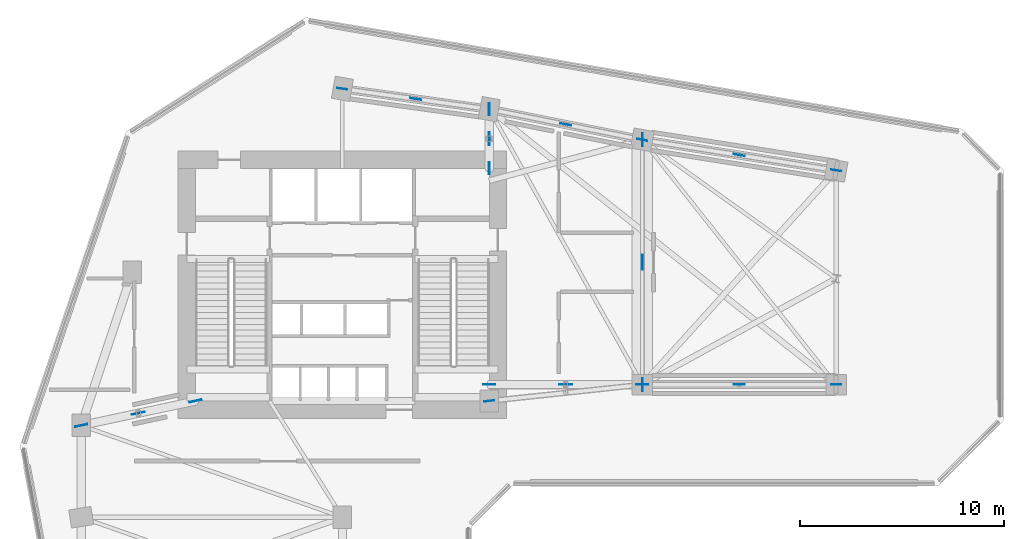
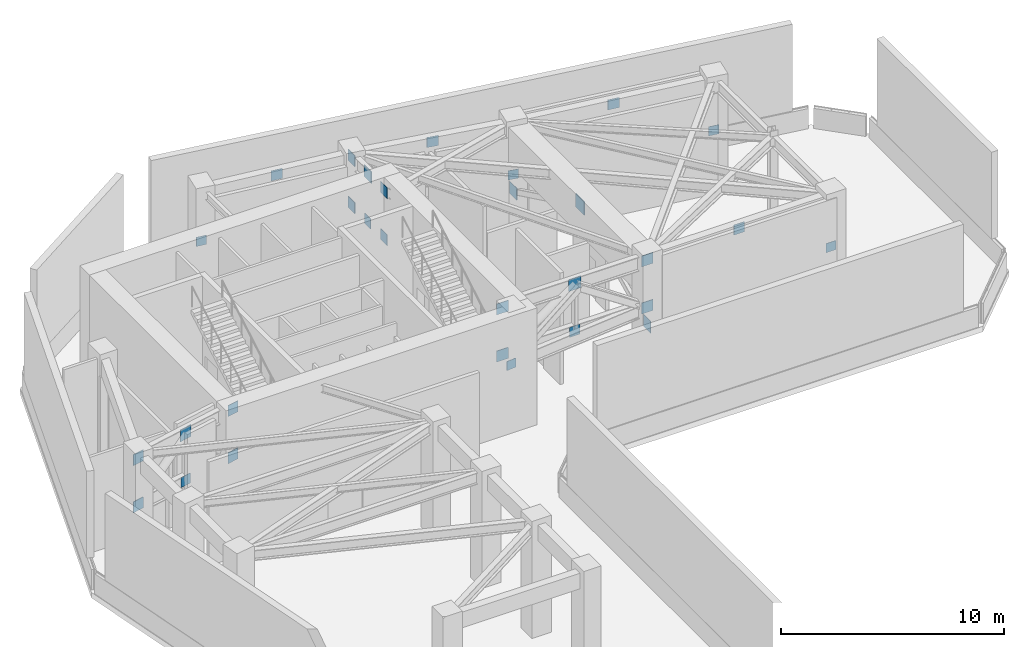
# One storey, part 5 of 10: 30 plates.
"""IFC4 building model written with IfcOpenShell, lengths in metres."""

from ifc_helpers import new_model, si_unit, direction, frame, origin, origin_2d, place, context, subcontext, project, spatial, rectangle, extrude, source, transform, mapped, material, layer, layer_set, type_object, element, save


model = new_model("IFC4")

# Units and contexts
model_context = context("Model", 3, precision=1e-05, world=origin(), true_north=direction((0.0, 1.0)))
body_context = subcontext(model_context, "Body", "Model", "MODEL_VIEW")
ifc_project = project(units=[si_unit("LENGTHUNIT", "METRE"), si_unit("AREAUNIT", "SQUARE_METRE"), si_unit("VOLUMEUNIT", "CUBIC_METRE"), si_unit("PLANEANGLEUNIT", "RADIAN"), si_unit("MASSUNIT", "GRAM", prefix="KILO")], contexts=[model_context])

# Site, building, storey
site_placement = place(None, origin())
site = spatial("IfcSite", under=ifc_project, at=site_placement, CompositionType="ELEMENT")
building_placement = place(site_placement, origin())
building = spatial("IfcBuilding", under=site, at=building_placement, Name="Calvemar Wedge Station Tower", CompositionType="ELEMENT")
storey_placement = place(building_placement, frame((0.0, 0.0, 99.0)))
storey = spatial("IfcBuildingStorey", under=building, at=storey_placement, Name="L24", CompositionType="ELEMENT", Elevation=99.0)

# Plates
ifc_material = material(Name="Structural steel ASTM A572 Grade 50", Category="steel")
ifc_layer_1 = layer(ifc_material, 0.0400390625)
ifc_layer_set_1 = layer_set([ifc_layer_1], Name="Structural steel ASTM A572 Grade 50")
plate_type_1 = type_object("IfcPlateType", Name="PL-NP-40", PredefinedType="USERDEFINED", material=ifc_layer_set_1)
shared_shape_1 = source(origin(), body_context, "Body", "SweptSolid", [
    extrude(rectangle(XDim=0.75, YDim=0.0400390625, at=origin_2d()), origin(), (0.0, 0.0, 1.0), 0.75),
])
plate_placement = place(storey_placement, frame((38.5, 41.0, 4.72509765625), z_axis=(0.0, 0.0, 1.0), x_axis=(0.0, 1.0, 0.0)))
element("IfcPlate", 1, at=plate_placement, inside=storey, type_object=plate_type_1, Name="L24 Transfer Strut Apex Gusset", ObjectType="GUSSET PLATE", PredefinedType="USERDEFINED", context=body_context, shape_type="MappedRepresentation", body=[
    mapped(shared_shape_1, transform((0.0, 0.0, 0.0), scale=1.0)),
])
ifc_layer_2 = layer(ifc_material, 0.031982421875)
ifc_layer_set_2 = layer_set([ifc_layer_2], Name="Structural steel ASTM A572 Grade 50")
plate_type_2 = type_object("IfcPlateType", Name="PL-NP-32", PredefinedType="USERDEFINED", material=ifc_layer_set_2)
shared_shape_2 = source(origin(), body_context, "Body", "SweptSolid", [
    extrude(rectangle(XDim=0.64990234375, YDim=0.031982421875, at=origin_2d()), origin(), (0.0, 0.0, 1.0), 0.64990234375),
])
for number, where, z_axis, x_axis, name in (
    (2, (38.5, 35.0, 1.875), (0.0, 0.0, 1.0), (0.0, 1.0, 0.0), "L24 Transfer Strut 1 Base Gusset"),
    (3, (38.5, 47.0, 1.875), (0.0, 0.0, 1.0), (0.0, 1.0, 0.0), "L24 Transfer Strut 2 Base Gusset"),
    (4, (34.75, 35.0, 5.388427734375), (0.0, 0.0, 1.0), (1.0, 0.0, 0.0), "L24 Outrigger OT-E Gusset Plate"),
    (5, (13.800048828125, 33.60009765625, 5.388427734375), (0.0, 0.0, 1.0), (-0.977819807207, -0.209447904343, 0.0), "L24 Outrigger OT-W Gusset Plate"),
    (6, (31.0, 47.050048828125, 5.388427734375), (0.0, 0.0, 1.0), (0.0, 1.0, 0.0), "L24 Outrigger OT-N Gusset Plate"),
):
    element("IfcPlate", number, at=place(storey_placement, frame(where, z_axis=z_axis, x_axis=x_axis)), inside=storey, type_object=plate_type_2, Name=name, ObjectType="GUSSET PLATE", PredefinedType="USERDEFINED", context=body_context, shape_type="MappedRepresentation", body=[
        mapped(shared_shape_2, transform((0.0, 0.0, 0.0), scale=1.0)),
    ])
shared_shape_3 = source(origin(), body_context, "Body", "SweptSolid", [
    extrude(rectangle(XDim=0.60009765625, YDim=0.031982421875, at=origin_2d()), origin(), (0.0, 0.0, 1.0), 0.60009765625),
])
for number, where, z_axis, x_axis, name in (
    (7, (31.0, 35.0, 2.83642578125), (0.0, 0.0, 1.0), (1.0, 0.0, 0.0), "L24 Outrigger OT-E Core Gusset Plate"),
    (8, (31.0, 35.0, 5.413330078125), (0.0, 0.0, 1.0), (1.0, 0.0, 0.0), "L24 Outrigger OT-E Core Top Embed Plate"),
    (9, (38.5, 35.0, 2.83642578125), (0.0, 0.0, 1.0), (1.0, 0.0, 0.0), "L24 Outrigger OT-E Column Gusset Plate"),
    (10, (38.5, 35.0, 5.413330078125), (0.0, 0.0, 1.0), (1.0, 0.0, 0.0), "L24 Outrigger OT-E Column Top Gusset Plate"),
    (11, (16.60009765625, 34.199951171875, 2.83642578125), (0.0, 0.0, 1.0), (-0.977819807207, -0.209447904343, 0.0), "L24 Outrigger OT-W Core Gusset Plate"),
    (12, (16.60009765625, 34.199951171875, 5.413330078125), (0.0, 0.0, 1.0), (-0.977819807207, -0.209447904343, 0.0), "L24 Outrigger OT-W Core Top Embed Plate"),
    (13, (11.0, 33.0, 2.83642578125), (0.0, 0.0, 1.0), (-0.977819807207, -0.209447904343, 0.0), "L24 Outrigger OT-W Column Gusset Plate"),
    (14, (11.0, 33.0, 5.413330078125), (0.0, 0.0, 1.0), (-0.977819807207, -0.209447904343, 0.0), "L24 Outrigger OT-W Column Top Gusset Plate"),
    (15, (31.0, 45.60009765625, 2.83642578125), (0.0, 0.0, 1.0), (0.0, 1.0, 0.0), "L24 Outrigger OT-N Core Gusset Plate"),
    (16, (31.0, 45.60009765625, 5.413330078125), (0.0, 0.0, 1.0), (0.0, 1.0, 0.0), "L24 Outrigger OT-N Core Top Embed Plate"),
    (17, (31.0, 48.5, 2.83642578125), (0.0, 0.0, 1.0), (0.0, 1.0, 0.0), "L24 Outrigger OT-N Column Gusset Plate"),
    (18, (31.0, 48.5, 5.413330078125), (0.0, 0.0, 1.0), (0.0, 1.0, 0.0), "L24 Outrigger OT-N Column Top Gusset Plate"),
):
    element("IfcPlate", number, at=place(storey_placement, frame(where, z_axis=z_axis, x_axis=x_axis)), inside=storey, type_object=plate_type_2, Name=name, ObjectType="GUSSET PLATE", PredefinedType="USERDEFINED", context=body_context, shape_type="MappedRepresentation", body=[
        mapped(shared_shape_3, transform((0.0, 0.0, 0.0), scale=1.0)),
    ])
ifc_layer_3 = layer(ifc_material, 0.02490234375)
ifc_layer_set_3 = layer_set([ifc_layer_3], Name="Structural steel ASTM A572 Grade 50")
plate_type_3 = type_object("IfcPlateType", Name="PL-NP-25", PredefinedType="USERDEFINED", material=ifc_layer_set_3)
shared_shape_4 = source(origin(), body_context, "Body", "SweptSolid", [
    extrude(rectangle(XDim=0.550048828125, YDim=0.02490234375, at=origin_2d()), origin(), (0.0, 0.0, 1.0), 0.550048828125),
])
for number, where, z_axis, x_axis, name in (
    (19, (34.75, 35.0, 2.861328125), (0.0, 0.0, 1.0), (1.0, 0.0, 0.0), "L24 Outrigger OT-E Mid Gusset Plate"),
    (20, (13.800048828125, 33.60009765625, 2.861328125), (0.0, 0.0, 1.0), (-0.977819807207, -0.209447904343, 0.0), "L24 Outrigger OT-W Mid Gusset Plate"),
    (21, (31.0, 47.050048828125, 2.861328125), (0.0, 0.0, 1.0), (0.0, 1.0, 0.0), "L24 Outrigger OT-N Mid Gusset Plate"),
    (22, (27.39990234375, 49.0, 5.48095703125), (0.0, 0.0, 1.0), (0.990485459553, -0.137617420457, 0.0), "L24 Belt Truss Node Plate 1"),
    (23, (34.75, 47.75, 5.48095703125), (0.0, 0.0, 1.0), (0.980580444557, -0.196117290802, 0.0), "L24 Belt Truss Node Plate 2"),
    (24, (43.25, 46.25, 5.48095703125), (0.0, 0.0, 1.0), (0.987770114096, -0.155917291214, 0.0), "L24 Belt Truss Node Plate 3"),
    (25, (43.25, 35.0, 5.48095703125), (0.0, 0.0, 1.0), (1.0, 0.0, 0.0), "L24 Belt Truss Node Plate 5"),
):
    element("IfcPlate", number, at=place(storey_placement, frame(where, z_axis=z_axis, x_axis=x_axis)), inside=storey, type_object=plate_type_3, Name=name, ObjectType="GUSSET PLATE", PredefinedType="USERDEFINED", context=body_context, shape_type="MappedRepresentation", body=[
        mapped(shared_shape_4, transform((0.0, 0.0, 0.0), scale=1.0)),
    ])
shared_shape_5 = source(origin(), body_context, "Body", "SweptSolid", [
    extrude(rectangle(XDim=0.5, YDim=0.02490234375, at=origin_2d()), origin(), (0.0, 0.0, 1.0), 0.5),
])
for number, where, z_axis, x_axis, name in (
    (26, (23.800048828125, 49.5, 2.843994140625), (0.0, 0.0, 1.0), (0.990485459553, -0.137617420457, 0.0), "L24 Belt Truss End Plate 1L"),
    (27, (38.5, 47.0, 2.843994140625), (0.0, 0.0, 1.0), (0.980580444557, -0.196117290802, 0.0), "L24 Belt Truss End Plate 2R"),
    (28, (48.0, 45.5, 2.843994140625), (0.0, 0.0, 1.0), (0.987770114096, -0.155917291214, 0.0), "L24 Belt Truss End Plate 3R"),
    (29, (31.0, 34.199951171875, 2.843994140625), (0.0, 0.0, 1.0), (0.994356475568, 0.106090525009, 0.0), "L24 Belt Truss End Plate 4L"),
    (30, (48.0, 35.0, 2.843994140625), (0.0, 0.0, 1.0), (1.0, 0.0, 0.0), "L24 Belt Truss End Plate 5R"),
):
    element("IfcPlate", number, at=place(storey_placement, frame(where, z_axis=z_axis, x_axis=x_axis)), inside=storey, type_object=plate_type_3, Name=name, ObjectType="GUSSET PLATE", PredefinedType="USERDEFINED", context=body_context, shape_type="MappedRepresentation", body=[
        mapped(shared_shape_5, transform((0.0, 0.0, 0.0), scale=1.0)),
    ])

save(model, "model.ifc")
